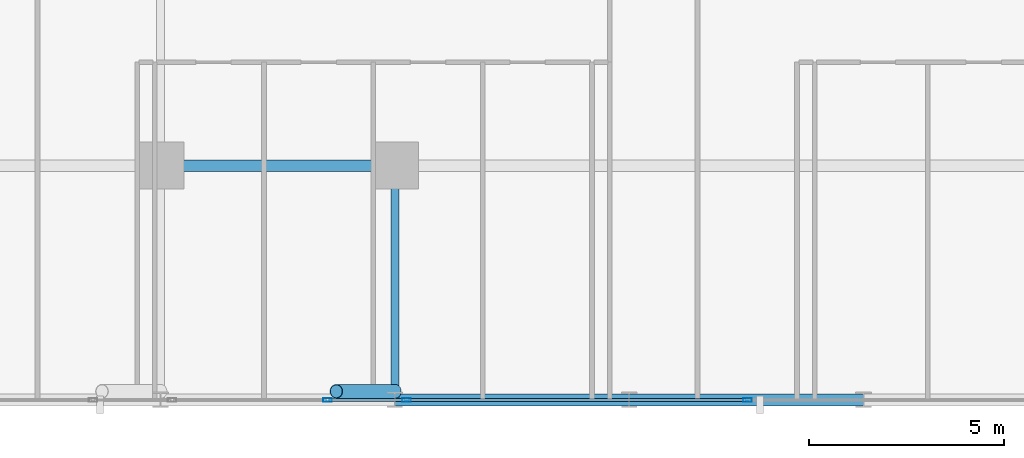
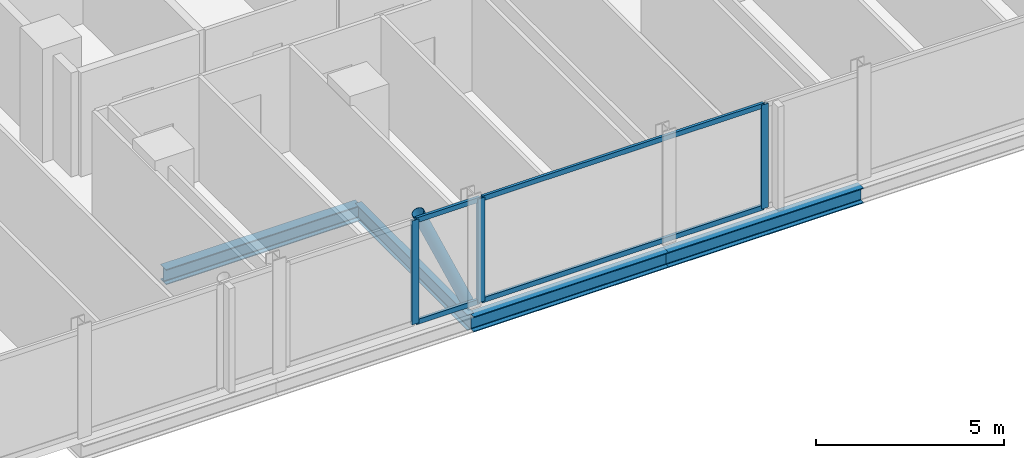
# One storey, part 8 of 34: 8 members, 4 beams, 2 elements without a shape of their own.
"""IFC4 building model written with IfcOpenShell, lengths in metres."""

from ifc_helpers import new_model, si_unit, direction, frame, origin, origin_2d, place, context, subcontext, project, spatial, hollow_rectangle, hollow_circle, i_section, extrude, material, layer, layer_set, material_profile, profile_set, type_object, element, aggregate, save


model = new_model("IFC4")

# Units and contexts
model_context = context("Model", 3, precision=1e-05, world=origin(), true_north=direction((0.0, 1.0)))
body_context = subcontext(model_context, "Body", "Model", "MODEL_VIEW")
ifc_project = project(units=[si_unit("LENGTHUNIT", "METRE"), si_unit("AREAUNIT", "SQUARE_METRE"), si_unit("VOLUMEUNIT", "CUBIC_METRE"), si_unit("PLANEANGLEUNIT", "RADIAN"), si_unit("MASSUNIT", "GRAM", prefix="KILO")], contexts=[model_context])

# Site, building, storey
site_placement = place(None, origin())
site = spatial("IfcSite", under=ifc_project, at=site_placement, CompositionType="ELEMENT")
building_placement = place(site_placement, origin())
building = spatial("IfcBuilding", under=site, at=building_placement, Name="Keshet Zoharim Tower", CompositionType="ELEMENT")
storey_placement = place(building_placement, frame((0.0, 0.0, 53.60009765625)))
storey = spatial("IfcBuildingStorey", under=building, at=storey_placement, Name="L12", CompositionType="ELEMENT", Elevation=53.60009765625)

# Beams
ifc_material_1 = material(Name="Steel S355", Category="steel")
ifc_material_profile_1 = material_profile(ifc_material_1, i_section(OverallWidth=0.199951171875, OverallDepth=0.5, WebThickness=0.01025390625, FlangeThickness=0.01611328125, FilletRadius=0.02099609375, at=origin_2d()), Name="IPE500")
ifc_profile_set_1 = profile_set([ifc_material_profile_1], Name="Steel S355")
beam_type_1 = type_object("IfcBeamType", Name="BM-PRI-IP500", PredefinedType="BEAM", material=ifc_profile_set_1)
beam_placement = place(storey_placement, frame((39.0, 0.699951171875, -0.565185546875), z_axis=(0.0, 1.0, 0.0), x_axis=(-1.0, 0.0, 0.0)))
element("IfcBeam", 1, at=beam_placement, inside=storey, type_object=beam_type_1, Name="L12 Primary Girder Y-012", PredefinedType="BEAM", context=body_context, shape_type="SweptSolid", body=[
    extrude(i_section(OverallWidth=0.199951171875, OverallDepth=0.5, WebThickness=0.01025390625, FlangeThickness=0.01611328125, FilletRadius=0.02099609375, at=origin_2d()), origin(), (0.0, 0.0, 1.0), 6.0),
])
ifc_material_profile_2 = material_profile(ifc_material_1, i_section(OverallWidth=0.300048828125, OverallDepth=0.5, WebThickness=0.014404296875, FlangeThickness=0.028076171875, FilletRadius=0.027099609375, at=origin_2d()), Name="HEB500")
ifc_profile_set_2 = profile_set([ifc_material_profile_2], Name="Steel S355")
beam_type_2 = type_object("IfcBeamType", Name="BM-WEB-HB500", PredefinedType="BEAM", material=ifc_profile_set_2)
for number, where, z_axis, x_axis, name in (
    (2, (39.0, 0.699951171875, -0.565185546875), (1.0, 0.0, 0.0), (0.0, 1.0, 0.0), "L12 Primary Girder X-003"),
    (3, (45.0, 0.699951171875, -0.565185546875), (1.0, 0.0, 0.0), (0.0, 1.0, 0.0), "L12 Primary Girder X-004"),
    (4, (33.0, 6.699951171875, -0.565185546875), (1.0, 0.0, 0.0), (0.0, 1.0, 0.0), "L12 Primary Girder X-008"),
):
    element("IfcBeam", number, at=place(storey_placement, frame(where, z_axis=z_axis, x_axis=x_axis)), inside=storey, type_object=beam_type_2, Name=name, PredefinedType="BEAM", context=body_context, shape_type="SweptSolid", body=[
        extrude(i_section(OverallWidth=0.300048828125, OverallDepth=0.5, WebThickness=0.014404296875, FlangeThickness=0.028076171875, FilletRadius=0.027099609375, at=origin_2d()), origin(), (0.0, 0.0, 1.0), 6.0),
    ])

# Curtain wall, members
ifc_material_2 = material(Name="Aluminium 6063-T6", Category="aluminium")
ifc_layer = layer(ifc_material_2, 0.179931640625)
ifc_layer_set = layer_set([ifc_layer], Name="Aluminium 6063-T6")
curtain_wall_type = type_object("IfcCurtainWallType", Name="CW-SYS-01", PredefinedType="NOTDEFINED", material=ifc_layer_set)
curtain_wall_1_placement = place(storey_placement, origin())
curtain_wall_1 = element("IfcCurtainWall", 5, at=curtain_wall_1_placement, inside=storey, type_object=curtain_wall_type, Name="L12 Unitised Curtain Wall 26", PredefinedType="NOTDEFINED")
ifc_material_profile_3 = material_profile(ifc_material_2, hollow_rectangle(XDim=0.090087890625, YDim=0.219970703125, WallThickness=0.0048828125, at=origin_2d()), Name="MUL-90x220")
ifc_profile_set_3 = profile_set([ifc_material_profile_3], Name="Aluminium 6063-T6")
member_type_1 = type_object("IfcMemberType", Name="CWM-M22", PredefinedType="MULLION", material=ifc_profile_set_3)
member_1_placement = place(storey_placement, frame((48.03271484375, 0.699951171875, 0.0), z_axis=(0.0, 0.0, 1.0), x_axis=(0.0, -1.0, 0.0)))
member_1 = element("IfcMember", 6, at=member_1_placement, type_object=member_type_1, Name="CW-01 mullion 2", PredefinedType="MULLION", context=body_context, shape_type="SweptSolid", body=[
    extrude(hollow_rectangle(XDim=0.090087890625, YDim=0.219970703125, WallThickness=0.0048828125, at=origin_2d()), origin(), (0.0, 0.0, 1.0), 3.385009765625),
])
member_2_placement = place(storey_placement, frame((39.297607421875, 0.699951171875, 0.0), z_axis=(0.0, 0.0, 1.0), x_axis=(0.0, -1.0, 0.0)))
member_2 = element("IfcMember", 7, at=member_2_placement, type_object=member_type_1, Name="CW-01 mullion 3", PredefinedType="MULLION", context=body_context, shape_type="SweptSolid", body=[
    extrude(hollow_rectangle(XDim=0.090087890625, YDim=0.219970703125, WallThickness=0.0048828125, at=origin_2d()), origin(), (0.0, 0.0, 1.0), 3.385009765625),
])

# Curtain wall, member
curtain_wall_2_placement = place(storey_placement, origin())
curtain_wall_2 = element("IfcCurtainWall", 8, at=curtain_wall_2_placement, inside=storey, type_object=curtain_wall_type, Name="L12 Unitised Curtain Wall 26 Part 2", PredefinedType="NOTDEFINED")
member_3_placement = place(storey_placement, frame((37.2724609375, 0.699951171875, 0.0), z_axis=(0.0, 0.0, 1.0), x_axis=(0.0, -1.0, 0.0)))
member_3 = element("IfcMember", 9, at=member_3_placement, type_object=member_type_1, Name="CW-01 mullion 2", PredefinedType="MULLION", context=body_context, shape_type="SweptSolid", body=[
    extrude(hollow_rectangle(XDim=0.090087890625, YDim=0.219970703125, WallThickness=0.0048828125, at=origin_2d()), origin(), (0.0, 0.0, 1.0), 3.385009765625),
])

# Member
ifc_material_profile_4 = material_profile(ifc_material_2, hollow_rectangle(XDim=0.0849609375, YDim=0.159912109375, WallThickness=0.00439453125, at=origin_2d()), Name="TRN-85x160")
ifc_profile_set_4 = profile_set([ifc_material_profile_4], Name="Aluminium 6063-T6")
member_type_2 = type_object("IfcMemberType", Name="CWT-T16", PredefinedType="USERDEFINED", material=ifc_profile_set_4)
member_4_placement = place(storey_placement, frame((47.997802734375, 0.699951171875, 0.034912109375), z_axis=(-1.0, 0.0, 0.0), x_axis=(0.0, -1.0, 0.0)))
member_4 = element("IfcMember", 10, at=member_4_placement, type_object=member_type_2, Name="CW-01 transom 2.1", ObjectType="TRANSOM", PredefinedType="USERDEFINED", context=body_context, shape_type="SweptSolid", body=[
    extrude(hollow_rectangle(XDim=0.0849609375, YDim=0.159912109375, WallThickness=0.00439453125, at=origin_2d()), origin(), (0.0, 0.0, 1.0), 8.665283203125),
])

member_5_placement = place(storey_placement, frame((47.997802734375, 0.699951171875, 3.349853515625), z_axis=(-1.0, 0.0, 0.0), x_axis=(0.0, -1.0, 0.0)))
member_5 = element("IfcMember", 11, at=member_5_placement, type_object=member_type_2, Name="CW-01 transom 2.2", ObjectType="TRANSOM", PredefinedType="USERDEFINED", context=body_context, shape_type="SweptSolid", body=[
    extrude(hollow_rectangle(XDim=0.0849609375, YDim=0.159912109375, WallThickness=0.00439453125, at=origin_2d()), origin(), (0.0, 0.0, 1.0), 8.665283203125),
])

aggregate(curtain_wall_1, [member_1, member_2, member_4, member_5])

member_6_placement = place(storey_placement, frame((39.2626953125, 0.699951171875, 0.034912109375), z_axis=(-1.0, 0.0, 0.0), x_axis=(0.0, -1.0, 0.0)))
member_6 = element("IfcMember", 12, at=member_6_placement, type_object=member_type_2, Name="CW-01 transom 1.1", ObjectType="TRANSOM", PredefinedType="USERDEFINED", context=body_context, shape_type="SweptSolid", body=[
    extrude(hollow_rectangle(XDim=0.0849609375, YDim=0.159912109375, WallThickness=0.00439453125, at=origin_2d()), origin(), (0.0, 0.0, 1.0), 1.955322265625),
])

member_7_placement = place(storey_placement, frame((39.2626953125, 0.699951171875, 3.349853515625), z_axis=(-1.0, 0.0, 0.0), x_axis=(0.0, -1.0, 0.0)))
member_7 = element("IfcMember", 13, at=member_7_placement, type_object=member_type_2, Name="CW-01 transom 1.2", ObjectType="TRANSOM", PredefinedType="USERDEFINED", context=body_context, shape_type="SweptSolid", body=[
    extrude(hollow_rectangle(XDim=0.0849609375, YDim=0.159912109375, WallThickness=0.00439453125, at=origin_2d()), origin(), (0.0, 0.0, 1.0), 1.955322265625),
])

aggregate(curtain_wall_2, [member_3, member_6, member_7])

ifc_material_profile_5 = material_profile(ifc_material_1, hollow_circle(Radius=0.177734375, WallThickness=0.012451171875, at=origin_2d()), Name="CHS355x12.5")
ifc_profile_set_5 = profile_set([ifc_material_profile_5], Name="Steel S355")
member_type_3 = type_object("IfcMemberType", Name="MB-BR-C355", PredefinedType="BRACE", material=ifc_profile_set_5)
member_8_placement = place(storey_placement, frame((39.0, 0.919921875, 0.0), z_axis=(-0.405134846829, 0.0, 0.91425694194), x_axis=(0.0, -1.0, 0.0)))
element("IfcMember", 14, at=member_8_placement, inside=storey, type_object=member_type_3, Name="L12 Perimeter Tube Brace 03", PredefinedType="BRACE", context=body_context, shape_type="SweptSolid", body=[
    extrude(hollow_circle(Radius=0.177734375, WallThickness=0.012451171875, at=origin_2d()), origin(), (0.0, 0.0, 1.0), 3.702392578125),
])

save(model, "model.ifc")
